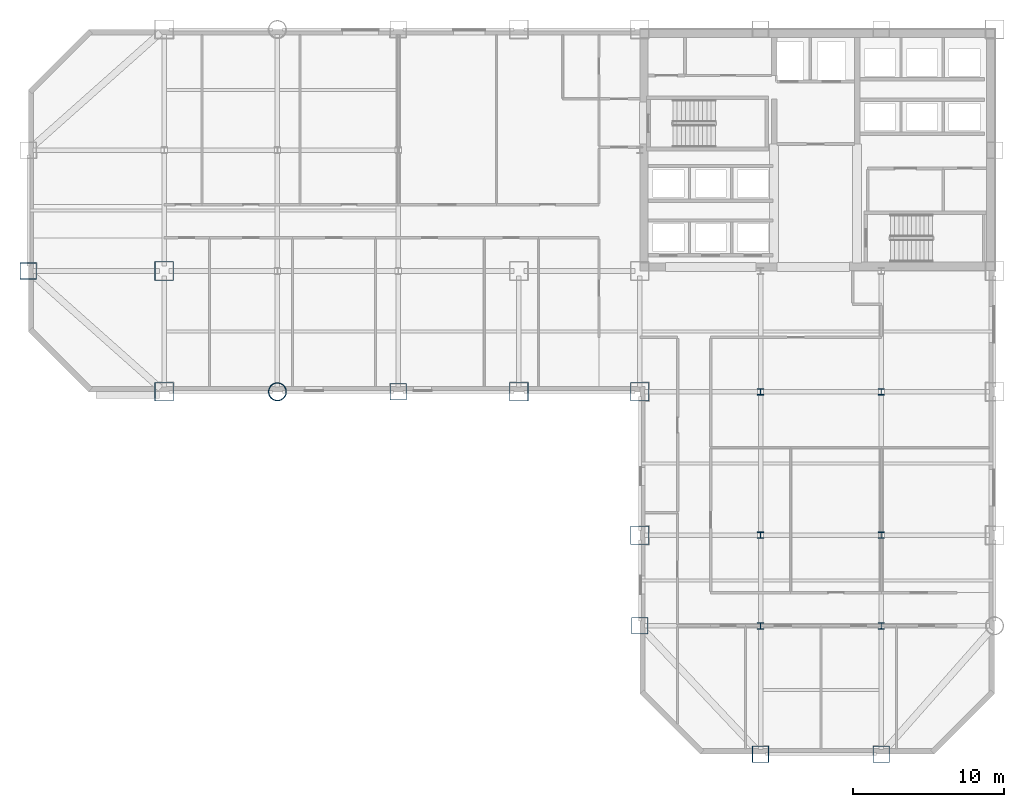
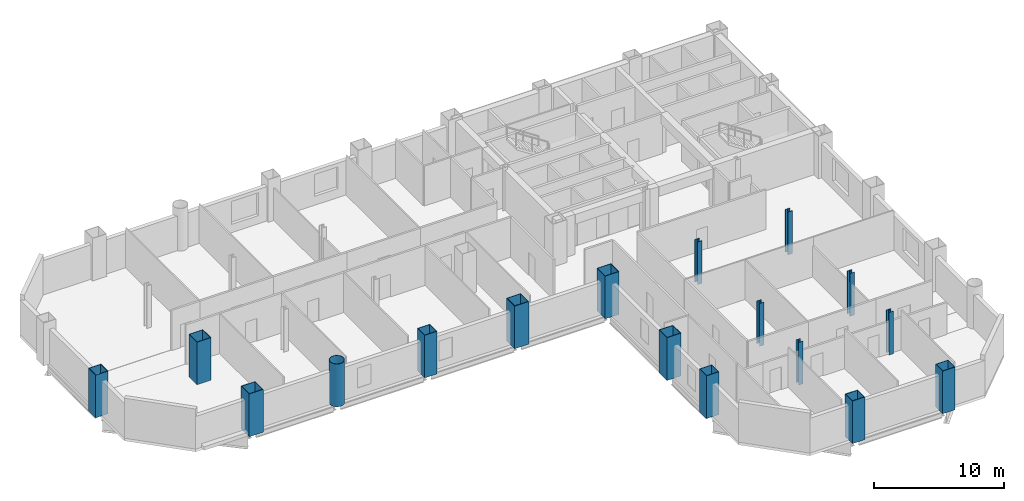
# One storey, part 1 of 9: 17 columns.
"""IFC4 building model written with IfcOpenShell, lengths in metres."""

from ifc_helpers import new_model, si_unit, direction, frame, origin, origin_2d, place, context, subcontext, project, spatial, hollow_rectangle, hollow_circle, i_section, extrude, material, material_profile, profile_set, type_object, element, save


model = new_model("IFC4")

# Units and contexts
model_context = context("Model", 3, precision=1e-05, world=origin(), true_north=direction((0.0, 1.0)))
body_context = subcontext(model_context, "Body", "Model", "MODEL_VIEW")
ifc_project = project(units=[si_unit("LENGTHUNIT", "METRE"), si_unit("AREAUNIT", "SQUARE_METRE"), si_unit("VOLUMEUNIT", "CUBIC_METRE"), si_unit("PLANEANGLEUNIT", "RADIAN"), si_unit("MASSUNIT", "GRAM", prefix="KILO")], contexts=[model_context])

# Site, building, storey
site_placement = place(None, origin())
site = spatial("IfcSite", under=ifc_project, at=site_placement, CompositionType="ELEMENT")
building_placement = place(site_placement, origin())
building = spatial("IfcBuilding", under=site, at=building_placement, Name="Qianrong Seaharbour Tower", CompositionType="ELEMENT")
storey_placement = place(building_placement, frame((0.0, 0.0, 96.199951171875)))
storey = spatial("IfcBuildingStorey", under=building, at=storey_placement, Name="L23", CompositionType="ELEMENT", Elevation=96.199951171875)

# Columns
ifc_material = material(Name="Structural steel SN490B", Category="steel")
ifc_material_profile_1 = material_profile(ifc_material, hollow_rectangle(XDim=1.25, YDim=1.25, WallThickness=0.044921875, at=origin_2d()), Name="BOX1250x1250x45")
ifc_profile_set_1 = profile_set([ifc_material_profile_1], Name="Structural steel SN490B")
column_type_1 = type_object("IfcColumnType", Name="COL-CFT-1250", PredefinedType="COLUMN", material=ifc_profile_set_1)
for number, where, z_axis, x_axis, name in (
    (1, (9.0, 28.0, 0.0), (0.0, 0.0, 1.0), (1.0, 0.0, 0.0), "L23 Column MC-2 at G2/GE"),
    (2, (9.0, 36.0, 0.0), (0.0, 0.0, 1.0), (1.0, 0.0, 0.0), "L23 Column MC-2 at G2/GF"),
    (3, (32.5, 28.0, 0.0), (0.0, 0.0, 1.0), (1.0, 0.0, 0.0), "L23 Column MC-2 at G5/GE"),
    (4, (40.5, 18.5, 0.0), (0.0, 0.0, 1.0), (1.0, 0.0, 0.0), "L23 Column MC-2 at G6/GD"),
    (5, (40.5, 28.0, 0.0), (0.0, 0.0, 1.0), (1.0, 0.0, 0.0), "L23 Column MC-2 at G6/GE"),
):
    element("IfcColumn", number, at=place(storey_placement, frame(where, z_axis=z_axis, x_axis=x_axis)), inside=storey, type_object=column_type_1, Name=name, PredefinedType="COLUMN", context=body_context, shape_type="SweptSolid", body=[
        extrude(hollow_rectangle(XDim=1.25, YDim=1.25, WallThickness=0.044921875, at=origin_2d()), origin(), (0.0, 0.0, 1.0), 4.0),
    ])
ifc_material_profile_2 = material_profile(ifc_material, hollow_circle(Radius=0.60009765625, WallThickness=0.0400390625, at=origin_2d()), Name="CHS1200x40")
ifc_profile_set_2 = profile_set([ifc_material_profile_2], Name="Structural steel SN490B")
column_type_2 = type_object("IfcColumnType", Name="COL-CHS-1200", PredefinedType="COLUMN", material=ifc_profile_set_2)
column_placement = place(storey_placement, frame((16.5, 28.0, 0.0), z_axis=(0.0, 0.0, 1.0), x_axis=(1.0, 0.0, 0.0)))
element("IfcColumn", 6, at=column_placement, inside=storey, type_object=column_type_2, Name="L23 Column CC-1 at G3/GE", PredefinedType="COLUMN", context=body_context, shape_type="SweptSolid", body=[
    extrude(hollow_circle(Radius=0.60009765625, WallThickness=0.0400390625, at=origin_2d()), origin(), (0.0, 0.0, 1.0), 4.0),
])
ifc_material_profile_3 = material_profile(ifc_material, i_section(OverallWidth=0.406982421875, OverallDepth=0.427978515625, WebThickness=0.02001953125, FlangeThickness=0.034912109375, FilletRadius=0.02197265625, at=origin_2d()), Name="H428x407x20x35")
ifc_profile_set_3 = profile_set([ifc_material_profile_3], Name="Structural steel SN490B")
column_type_3 = type_object("IfcColumnType", Name="COL-INT-H428", PredefinedType="COLUMN", material=ifc_profile_set_3)
for number, where, z_axis, x_axis, name in (
    (7, (48.5, 12.5, 0.0), (0.0, 0.0, 1.0), (1.0, 0.0, 0.0), "L23 Column IC-2 at G7/GC"),
    (8, (48.5, 18.5, 0.0), (0.0, 0.0, 1.0), (1.0, 0.0, 0.0), "L23 Column IC-2 at G7/GD"),
    (9, (48.5, 28.0, 0.0), (0.0, 0.0, 1.0), (1.0, 0.0, 0.0), "L23 Column IC-2 at G7/GE"),
    (10, (56.5, 12.5, 0.0), (0.0, 0.0, 1.0), (1.0, 0.0, 0.0), "L23 Column IC-2 at G8/GC"),
    (11, (56.5, 18.5, 0.0), (0.0, 0.0, 1.0), (1.0, 0.0, 0.0), "L23 Column IC-2 at G8/GD"),
    (12, (56.5, 28.0, 0.0), (0.0, 0.0, 1.0), (1.0, 0.0, 0.0), "L23 Column IC-2 at G8/GE"),
):
    element("IfcColumn", number, at=place(storey_placement, frame(where, z_axis=z_axis, x_axis=x_axis)), inside=storey, type_object=column_type_3, Name=name, PredefinedType="COLUMN", context=body_context, shape_type="SweptSolid", body=[
        extrude(i_section(OverallWidth=0.406982421875, OverallDepth=0.427978515625, WebThickness=0.02001953125, FlangeThickness=0.034912109375, FilletRadius=0.02197265625, at=origin_2d()), origin(), (0.0, 0.0, 1.0), 4.0),
    ])
ifc_material_profile_4 = material_profile(ifc_material, hollow_rectangle(XDim=1.10009765625, YDim=1.10009765625, WallThickness=0.0400390625, at=origin_2d()), Name="BOX1100x1100x40")
ifc_profile_set_4 = profile_set([ifc_material_profile_4], Name="Structural steel SN490B")
column_type_4 = type_object("IfcColumnType", Name="COL-PER-1100", PredefinedType="COLUMN", material=ifc_profile_set_4)
for number, where, z_axis, x_axis, name in (
    (13, (0.0, 36.0, 0.0), (0.0, 0.0, 1.0), (1.0, 0.0, 0.0), "L23 Column PC-1 at G1/GF"),
    (14, (24.5, 28.0, 0.0), (0.0, 0.0, 1.0), (1.0, 0.0, 0.0), "L23 Column PC-1 at G4/GE"),
    (15, (40.5, 12.5, 0.0), (0.0, 0.0, 1.0), (1.0, 0.0, 0.0), "L23 Column PC-1 at G6/GC"),
    (16, (48.5, 4.0, 0.0), (0.0, 0.0, 1.0), (1.0, 0.0, 0.0), "L23 Column PC-1 at G7/GB"),
    (17, (56.5, 4.0, 0.0), (0.0, 0.0, 1.0), (1.0, 0.0, 0.0), "L23 Column PC-1 at G8/GB"),
):
    element("IfcColumn", number, at=place(storey_placement, frame(where, z_axis=z_axis, x_axis=x_axis)), inside=storey, type_object=column_type_4, Name=name, PredefinedType="COLUMN", context=body_context, shape_type="SweptSolid", body=[
        extrude(hollow_rectangle(XDim=1.10009765625, YDim=1.10009765625, WallThickness=0.0400390625, at=origin_2d()), origin(), (0.0, 0.0, 1.0), 4.0),
    ])

save(model, "model.ifc")
